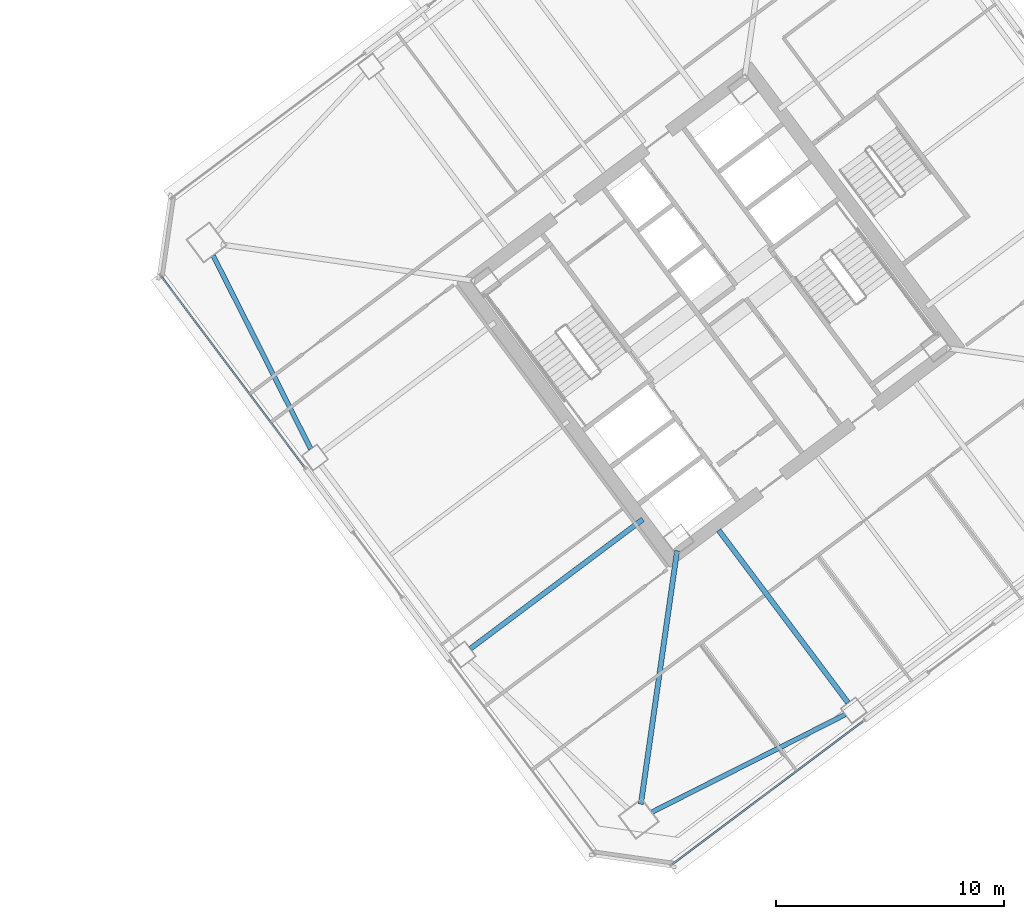
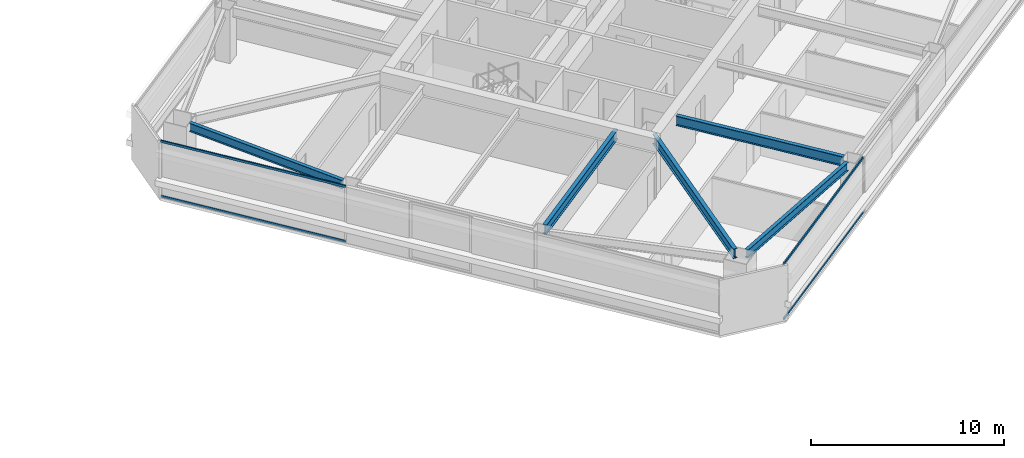
# One storey, part 19 of 42: 5 beams, 4 members, 2 elements without a shape of their own.
"""IFC4 building model written with IfcOpenShell, lengths in metres."""

from ifc_helpers import new_model, si_unit, direction, frame, origin, origin_2d, place, context, subcontext, project, spatial, hollow_rectangle, i_section, extrude, material, material_profile, profile_set, type_object, element, aggregate, save


model = new_model("IFC4")

# Units and contexts
model_context = context("Model", 3, precision=1e-05, world=origin(), true_north=direction((0.0, 1.0)))
body_context = subcontext(model_context, "Body", "Model", "MODEL_VIEW")
ifc_project = project(units=[si_unit("LENGTHUNIT", "METRE"), si_unit("AREAUNIT", "SQUARE_METRE"), si_unit("VOLUMEUNIT", "CUBIC_METRE"), si_unit("PLANEANGLEUNIT", "RADIAN"), si_unit("MASSUNIT", "GRAM", prefix="KILO")], contexts=[model_context])

# Site, building, storey
site_placement = place(None, origin())
site = spatial("IfcSite", under=ifc_project, at=site_placement, CompositionType="ELEMENT")
building_placement = place(site_placement, origin())
building = spatial("IfcBuilding", under=site, at=building_placement, Name="Tashvorn Skyway Center", CompositionType="ELEMENT")
storey_placement = place(building_placement, frame((0.0, 0.0, 121.5)))
storey = spatial("IfcBuildingStorey", under=building, at=storey_placement, Name="L32", CompositionType="ELEMENT", Elevation=121.5)

# Beams
ifc_material_1 = material(Name="Steel ASTM A992 Grade 50", Category="steel")
ifc_material_profile_1 = material_profile(ifc_material_1, i_section(OverallWidth=0.22998046875, OverallDepth=0.616943359375, WebThickness=0.01318359375, FlangeThickness=0.022216796875, at=origin_2d()), Name="W24X94")
ifc_profile_set_1 = profile_set([ifc_material_profile_1], Name="Steel ASTM A992 Grade 50")
beam_type_1 = type_object("IfcBeamType", Name="BM-BEAM-W24X94", PredefinedType="BEAM", material=ifc_profile_set_1)
beam_placement = place(storey_placement, frame((110.93115234375, 10.5185546875, 3.0615234375), z_axis=(0.141430483583, 0.989948189712, 0.0), x_axis=(-0.989948189712, 0.141430483583, 0.0)))
element("IfcBeam", 1, at=beam_placement, inside=storey, type_object=beam_type_1, Name="Tower 2 L32 Primary Floor Girder MC-SW", PredefinedType="BEAM", context=body_context, shape_type="SweptSolid", body=[
    extrude(i_section(OverallWidth=0.22998046875, OverallDepth=0.616943359375, WebThickness=0.01318359375, FlangeThickness=0.022216796875, at=origin_2d()), origin(), (0.0, 0.0, 1.0), 11.234375),
])
for number, where, z_axis, x_axis, name in (
    (2, (120.01806640625, 14.97607421875, 3.0615234375), (-0.600020667896, 0.799984498661, 0.0), (-0.799984498661, -0.600020667896, 0.0), "Tower 2 L32 Primary Floor Girder FC-S1"),
    (3, (103.4560546875, 17.342041015625, 3.0615234375), (0.800006200354, 0.599991732772, 0.0), (-0.599991732772, 0.800006200354, 0.0), "Tower 2 L32 Primary Floor Girder FC-W2"),
):
    element("IfcBeam", number, at=place(storey_placement, frame(where, z_axis=z_axis, x_axis=x_axis)), inside=storey, type_object=beam_type_1, Name=name, PredefinedType="BEAM", context=body_context, shape_type="SweptSolid", body=[
        extrude(i_section(OverallWidth=0.22998046875, OverallDepth=0.616943359375, WebThickness=0.01318359375, FlangeThickness=0.022216796875, at=origin_2d()), origin(), (0.0, 0.0, 1.0), 9.449951171875),
    ])
ifc_material_profile_2 = material_profile(ifc_material_1, i_section(OverallWidth=0.2109375, OverallDepth=0.5390625, WebThickness=0.01171875, FlangeThickness=0.018798828125, at=origin_2d()), Name="W21X73")
ifc_profile_set_2 = profile_set([ifc_material_profile_2], Name="Steel ASTM A992 Grade 50")
beam_type_2 = type_object("IfcBeamType", Name="BM-SPANDREL-W21X73", PredefinedType="SPANDREL", material=ifc_profile_set_2)
for number, where, z_axis, x_axis, name in (
    (4, (111.415771484375, 10.170654296875, 3.1005859375), (0.892719124217, 0.450613543136, 0.0), (-0.450613543136, 0.892719124217, 0.0), "Tower 2 L32 Spandrel Beam 01"),
    (5, (92.170654296875, 34.584228515625, 3.1005859375), (0.450613543136, -0.892719124217, 0.0), (0.892719124217, 0.450613543136, 0.0), "Tower 2 L32 Spandrel Beam 10"),
):
    element("IfcBeam", number, at=place(storey_placement, frame(where, z_axis=z_axis, x_axis=x_axis)), inside=storey, type_object=beam_type_2, Name=name, PredefinedType="SPANDREL", context=body_context, shape_type="SweptSolid", body=[
        extrude(i_section(OverallWidth=0.2109375, OverallDepth=0.5390625, WebThickness=0.01171875, FlangeThickness=0.018798828125, at=origin_2d()), origin(), (0.0, 0.0, 1.0), 9.498291015625),
    ])

# Curtain wall, members
ifc_material_2 = material(Name="Thermally broken bronze-anodized aluminium 6063-T6", Category="aluminium")
curtain_wall_type = type_object("IfcCurtainWallType", Name="CW-CW-Z3", PredefinedType="NOTDEFINED", material=ifc_material_2)
curtain_wall_1_placement = place(storey_placement, origin())
curtain_wall_1 = element("IfcCurtainWall", 6, at=curtain_wall_1_placement, inside=storey, type_object=curtain_wall_type, Name="Tower 2 L32 South Unitised Curtain Wall Glazing Group 3", PredefinedType="NOTDEFINED")
ifc_material_profile_3 = material_profile(ifc_material_2, hollow_rectangle(XDim=0.074951171875, YDim=0.139892578125, WallThickness=0.004150390625, at=origin_2d()), Name="ALU-TRAN-75x140")
ifc_profile_set_3 = profile_set([ifc_material_profile_3], Name="Thermally broken bronze-anodized aluminium 6063-T6")
member_type = type_object("IfcMemberType", Name="CWT-CW-Z3", PredefinedType="USERDEFINED", material=ifc_profile_set_3)
member_1_placement = place(storey_placement, frame((120.67333984375, 14.155029296875, 0.03759765625), z_axis=(-0.800002807101, -0.599996257181, 0.0), x_axis=(0.599996257181, -0.800002807101, 0.0)))
member_1 = element("IfcMember", 7, at=member_1_placement, type_object=member_type, Name="CW-Z3 transom 1.1", ObjectType="TRANSOM", PredefinedType="USERDEFINED", context=body_context, shape_type="SweptSolid", body=[
    extrude(hollow_rectangle(XDim=0.074951171875, YDim=0.139892578125, WallThickness=0.004150390625, at=origin_2d()), origin(), (0.0, 0.0, 1.0), 10.436767578125),
])
member_2_placement = place(storey_placement, frame((120.67333984375, 14.155029296875, 3.512451171875), z_axis=(-0.800002807101, -0.599996257181, 0.0), x_axis=(0.599996257181, -0.800002807101, 0.0)))
member_2 = element("IfcMember", 8, at=member_2_placement, type_object=member_type, Name="CW-Z3 transom 1.2", ObjectType="TRANSOM", PredefinedType="USERDEFINED", context=body_context, shape_type="SweptSolid", body=[
    extrude(hollow_rectangle(XDim=0.074951171875, YDim=0.139892578125, WallThickness=0.004150390625, at=origin_2d()), origin(), (0.0, 0.0, 1.0), 10.436767578125),
])
aggregate(curtain_wall_1, [member_1, member_2])

curtain_wall_2_placement = place(storey_placement, origin())
curtain_wall_2 = element("IfcCurtainWall", 9, at=curtain_wall_2_placement, inside=storey, type_object=curtain_wall_type, Name="Tower 2 L32 West Unitised Curtain Wall Glazing Group 3", PredefinedType="NOTDEFINED")
member_3_placement = place(storey_placement, frame((96.155029296875, 25.32666015625, 0.03759765625), z_axis=(-0.599996257181, 0.800002807101, 0.0), x_axis=(-0.800002807101, -0.599996257181, 0.0)))
member_3 = element("IfcMember", 10, at=member_3_placement, type_object=member_type, Name="CW-Z3 transom 1.1", ObjectType="TRANSOM", PredefinedType="USERDEFINED", context=body_context, shape_type="SweptSolid", body=[
    extrude(hollow_rectangle(XDim=0.074951171875, YDim=0.139892578125, WallThickness=0.004150390625, at=origin_2d()), origin(), (0.0, 0.0, 1.0), 10.436767578125),
])
member_4_placement = place(storey_placement, frame((96.155029296875, 25.32666015625, 3.512451171875), z_axis=(-0.599996257181, 0.800002807101, 0.0), x_axis=(-0.800002807101, -0.599996257181, 0.0)))
member_4 = element("IfcMember", 11, at=member_4_placement, type_object=member_type, Name="CW-Z3 transom 1.2", ObjectType="TRANSOM", PredefinedType="USERDEFINED", context=body_context, shape_type="SweptSolid", body=[
    extrude(hollow_rectangle(XDim=0.074951171875, YDim=0.139892578125, WallThickness=0.004150390625, at=origin_2d()), origin(), (0.0, 0.0, 1.0), 10.436767578125),
])
aggregate(curtain_wall_2, [member_3, member_4])

save(model, "model.ifc")
